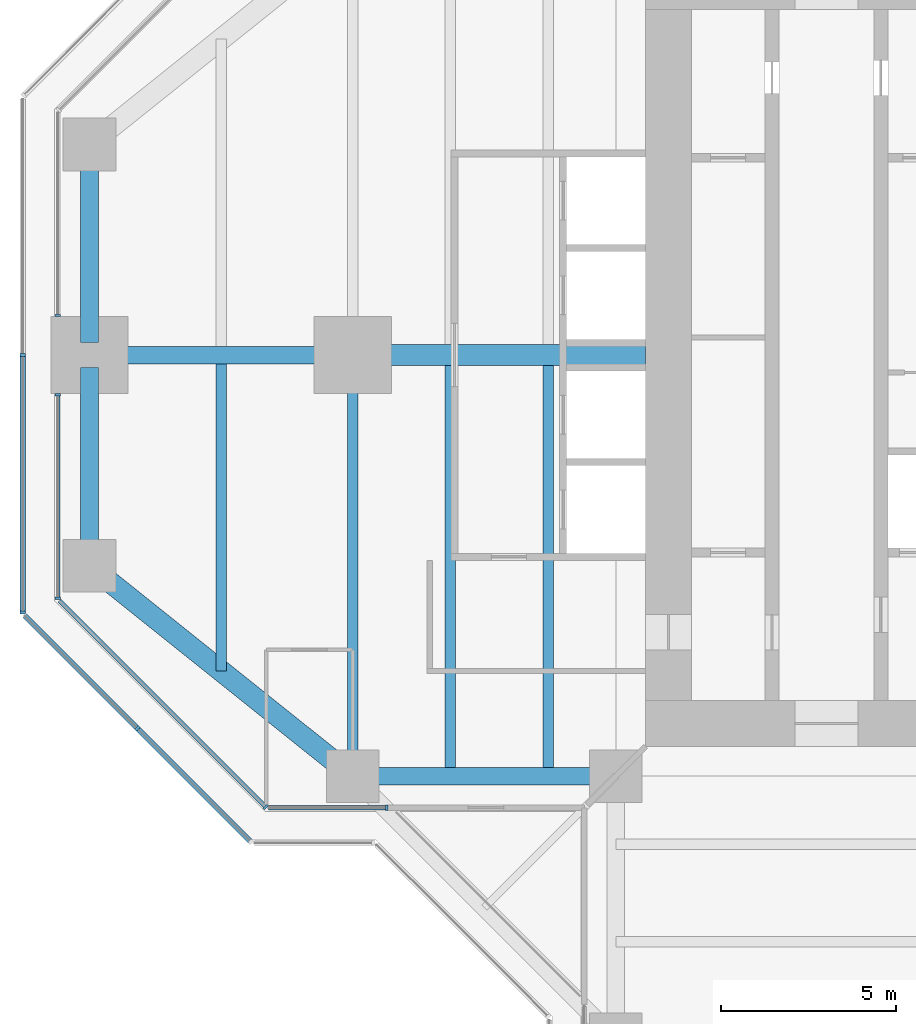
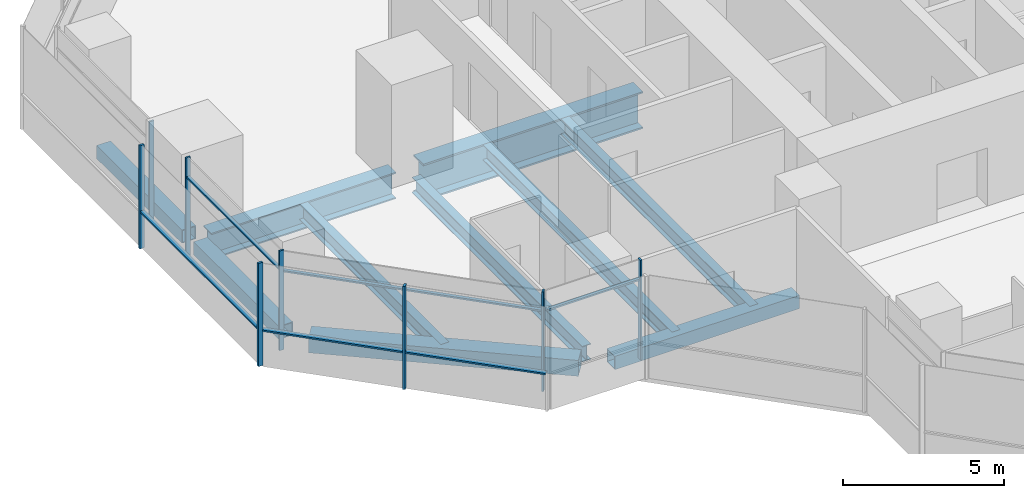
# One storey, part 3 of 17: 14 members, 10 beams, 6 elements without a shape of their own.
"""IFC4 building model written with IfcOpenShell, lengths in metres."""

from ifc_helpers import new_model, si_unit, direction, frame, origin, origin_2d, place, context, subcontext, project, spatial, rectangle, hollow_rectangle, i_section, extrude, material, material_profile, profile_set, type_object, element, aggregate, save


model = new_model("IFC4")

# Units and contexts
model_context = context("Model", 3, precision=1e-05, world=origin(), true_north=direction((0.0, 1.0)))
body_context = subcontext(model_context, "Body", "Model", "MODEL_VIEW")
ifc_project = project(units=[si_unit("LENGTHUNIT", "METRE"), si_unit("AREAUNIT", "SQUARE_METRE"), si_unit("VOLUMEUNIT", "CUBIC_METRE"), si_unit("PLANEANGLEUNIT", "RADIAN"), si_unit("MASSUNIT", "GRAM", prefix="KILO")], contexts=[model_context])

# Site, building, storey
site_placement = place(None, origin())
site = spatial("IfcSite", under=ifc_project, at=site_placement, CompositionType="ELEMENT")
building_placement = place(site_placement, origin())
building = spatial("IfcBuilding", under=site, at=building_placement, Name="Mizan Broadcast Tower", CompositionType="ELEMENT")
storey_placement = place(building_placement, frame((0.0, 0.0, 236.10009765625)))
storey = spatial("IfcBuildingStorey", under=building, at=storey_placement, Name="L55", CompositionType="ELEMENT", Elevation=236.10009765625)

# Beams
ifc_material_1 = material(Name="Steel S355", Category="steel")
ifc_material_profile_1 = material_profile(ifc_material_1, hollow_rectangle(XDim=0.5, YDim=0.5, WallThickness=0.030029296875, at=origin_2d()), Name="BOX 500x500x30")
ifc_profile_set_1 = profile_set([ifc_material_profile_1], Name="Steel S355")
beam_type_1 = type_object("IfcBeamType", Name="EDGE BEAM BOX 500x500x30", PredefinedType="SPANDREL", material=ifc_profile_set_1)
beam_1_placement = place(storey_placement, frame((-27.0, 5.639892578125, -0.380126953125), z_axis=(0.0, -1.0, 0.0), x_axis=(1.0, 0.0, 0.0)))
element("IfcBeam", 1, at=beam_1_placement, inside=storey, type_object=beam_type_1, Name="Edge beam BOX 500x500x30 L55 west arm", PredefinedType="SPANDREL", context=body_context, shape_type="SweptSolid", body=[
    extrude(hollow_rectangle(XDim=0.5, YDim=0.5, WallThickness=0.030029296875, at=origin_2d()), origin(), (0.0, 0.0, 1.0), 5.27978515625),
])
beam_2_placement = place(storey_placement, frame((-12.449951171875, -12.0, -0.380126953125), z_axis=(-1.0, 0.0, 0.0), x_axis=(0.0, -1.0, 0.0)))
element("IfcBeam", 2, at=beam_2_placement, inside=storey, type_object=beam_type_1, Name="Edge beam BOX 500x500x30 L55 west arm", PredefinedType="SPANDREL", context=body_context, shape_type="SweptSolid", body=[
    extrude(hollow_rectangle(XDim=0.5, YDim=0.5, WallThickness=0.030029296875, at=origin_2d()), origin(), (0.0, 0.0, 1.0), 6.60009765625),
])
beam_3_placement = place(storey_placement, frame((-27.0, -5.639892578125, -0.380126953125), z_axis=(0.0, 1.0, 0.0), x_axis=(-1.0, 0.0, 0.0)))
element("IfcBeam", 3, at=beam_3_placement, inside=storey, type_object=beam_type_1, Name="Edge beam BOX 500x500x30 L55 west arm", PredefinedType="SPANDREL", context=body_context, shape_type="SweptSolid", body=[
    extrude(hollow_rectangle(XDim=0.5, YDim=0.5, WallThickness=0.030029296875, at=origin_2d()), origin(), (0.0, 0.0, 1.0), 5.27978515625),
])
ifc_material_2 = material(Name="Steel S355", Category="steel")
ifc_material_profile_2 = material_profile(ifc_material_2, hollow_rectangle(XDim=0.60009765625, YDim=0.60009765625, WallThickness=0.030029296875, at=origin_2d()), Name="BOX 600x600x30")
ifc_profile_set_2 = profile_set([ifc_material_profile_2], Name="Steel S355")
beam_type_2 = type_object("IfcBeamType", Name="EDGE BEAM BOX 600x600x30", PredefinedType="SPANDREL", material=ifc_profile_set_2)
beam_4_placement = place(storey_placement, frame((-19.949951171875, -11.639892578125, -0.43017578125), z_axis=(-0.780885717636, 0.624673911726, 0.0), x_axis=(-0.624673911726, -0.780885717636, 0.0)))
element("IfcBeam", 4, at=beam_4_placement, inside=storey, type_object=beam_type_2, Name="Edge beam BOX 600x600x30 L55 west arm", PredefinedType="SPANDREL", context=body_context, shape_type="SweptSolid", body=[
    extrude(hollow_rectangle(XDim=0.60009765625, YDim=0.60009765625, WallThickness=0.030029296875, at=origin_2d()), origin(), (0.0, 0.0, 1.0), 8.4521484375),
])
ifc_material_3 = material(Name="Steel S355", Category="steel")
ifc_material_profile_3 = material_profile(ifc_material_3, i_section(OverallWidth=0.300048828125, OverallDepth=0.590087890625, WebThickness=0.012939453125, FlangeThickness=0.02490234375, FilletRadius=0.027099609375, at=origin_2d()), Name="HEA 600")
ifc_profile_set_3 = profile_set([ifc_material_profile_3], Name="Steel S355")
beam_type_3 = type_object("IfcBeamType", Name="GIRDER HEA 600", PredefinedType="BEAM", material=ifc_profile_set_3)
beam_5_placement = place(storey_placement, frame((-19.5, -11.280029296875, -0.425048828125), z_axis=(0.0, 1.0, 0.0), x_axis=(-1.0, 0.0, 0.0)))
element("IfcBeam", 5, at=beam_5_placement, inside=storey, type_object=beam_type_3, Name="Girder HEA 600 L55 west arm", PredefinedType="BEAM", context=body_context, shape_type="SweptSolid", body=[
    extrude(i_section(OverallWidth=0.300048828125, OverallDepth=0.590087890625, WebThickness=0.012939453125, FlangeThickness=0.02490234375, FilletRadius=0.027099609375, at=origin_2d()), origin(), (0.0, 0.0, 1.0), 10.56005859375),
])
ifc_material_4 = material(Name="Steel S460", Category="steel")
ifc_material_profile_4 = material_profile(ifc_material_4, i_section(OverallWidth=0.5, OverallDepth=1.0, WebThickness=0.02490234375, FlangeThickness=0.050048828125, at=origin_2d()), Name="WPG 1000x500")
ifc_profile_set_4 = profile_set([ifc_material_profile_4], Name="Steel S460")
beam_type_4 = type_object("IfcBeamType", Name="GIRDER WPG 1000x500", PredefinedType="BEAM", material=ifc_profile_set_4)
beam_6_placement = place(storey_placement, frame((-19.949951171875, 0.0, -0.630126953125), z_axis=(-1.0, 0.0, 0.0), x_axis=(0.0, -1.0, 0.0)))
element("IfcBeam", 6, at=beam_6_placement, inside=storey, type_object=beam_type_4, Name="Girder WPG 1000x500 L55 west arm", PredefinedType="BEAM", context=body_context, shape_type="SweptSolid", body=[
    extrude(i_section(OverallWidth=0.5, OverallDepth=1.0, WebThickness=0.02490234375, FlangeThickness=0.050048828125, at=origin_2d()), origin(), (0.0, 0.0, 1.0), 6.60009765625),
])
ifc_material_5 = material(Name="Steel S460", Category="steel")
ifc_material_profile_5 = material_profile(ifc_material_5, i_section(OverallWidth=0.60009765625, OverallDepth=1.39990234375, WebThickness=0.02490234375, FlangeThickness=0.06005859375, at=origin_2d()), Name="WPG 1400x600")
ifc_profile_set_5 = profile_set([ifc_material_profile_5], Name="Steel S460")
beam_type_5 = type_object("IfcBeamType", Name="GIRDER WPG 1400x600", PredefinedType="BEAM", material=ifc_profile_set_5)
beam_7_placement = place(storey_placement, frame((-11.14990234375, 0.0, -0.830078125), z_axis=(-1.0, 0.0, 0.0), x_axis=(0.0, -1.0, 0.0)))
element("IfcBeam", 7, at=beam_7_placement, inside=storey, type_object=beam_type_5, Name="Girder WPG 1400x600 L55 west arm", PredefinedType="BEAM", context=body_context, shape_type="SweptSolid", body=[
    extrude(i_section(OverallWidth=0.60009765625, OverallDepth=1.39990234375, WebThickness=0.02490234375, FlangeThickness=0.06005859375, at=origin_2d()), origin(), (0.0, 0.0, 1.0), 7.84912109375),
])

# Curtain wall, member
ifc_material_6 = material(Name="Aluminium framed glazing", Category="aluminium")
curtain_wall_type_1 = type_object("IfcCurtainWallType", Name="INNER SKIN HIGH ZONE", PredefinedType="USERDEFINED", material=ifc_material_6)
curtain_wall_1_placement = place(storey_placement, origin())
curtain_wall_1 = element("IfcCurtainWall", 8, at=curtain_wall_1_placement, inside=storey, type_object=curtain_wall_type_1, Name="Inner skin high zone L55 W end", ObjectType="INNER SKIN HIGH ZONE", PredefinedType="USERDEFINED")
ifc_material_7 = material(Name="Aluminium, pale anodised", Category="aluminium")
ifc_material_profile_6 = material_profile(ifc_material_7, rectangle(XDim=0.159912109375, YDim=0.06005859375, at=origin_2d()), Name="MULLION 160x60")
ifc_profile_set_6 = profile_set([ifc_material_profile_6], Name="Aluminium, pale anodised")
member_type_1 = type_object("IfcMemberType", Name="INNER SKIN MULLION 60x160", PredefinedType="MULLION", material=ifc_profile_set_6)
member_1_placement = place(storey_placement, frame((-27.89990234375, 1.1298828125, 0.0), z_axis=(0.0, 0.0, 1.0), x_axis=(1.0, 0.0, 0.0)))
member_1 = element("IfcMember", 9, at=member_1_placement, type_object=member_type_1, Name="Inner skin high zone L55 W end mullion 2", PredefinedType="MULLION", context=body_context, shape_type="SweptSolid", body=[
    extrude(rectangle(XDim=0.159912109375, YDim=0.06005859375, at=origin_2d()), origin(), (0.0, 0.0, 1.0), 3.77001953125),
])
aggregate(curtain_wall_1, [member_1])

# Curtain wall, members
curtain_wall_2_placement = place(storey_placement, origin())
curtain_wall_2 = element("IfcCurtainWall", 10, at=curtain_wall_2_placement, inside=storey, type_object=curtain_wall_type_1, Name="Inner skin high zone L55 W end", ObjectType="INNER SKIN HIGH ZONE", PredefinedType="USERDEFINED")
member_2_placement = place(storey_placement, frame((-27.89990234375, -1.1298828125, 0.0), z_axis=(0.0, 0.0, 1.0), x_axis=(1.0, 0.0, 0.0)))
member_2 = element("IfcMember", 11, at=member_2_placement, type_object=member_type_1, Name="Inner skin high zone L55 W end mullion 1", PredefinedType="MULLION", context=body_context, shape_type="SweptSolid", body=[
    extrude(rectangle(XDim=0.159912109375, YDim=0.06005859375, at=origin_2d()), origin(), (0.0, 0.0, 1.0), 3.77001953125),
])
member_3_placement = place(storey_placement, frame((-27.89990234375, -6.928466796875, 0.0), z_axis=(0.0, 0.0, 1.0), x_axis=(1.0, 0.0, 0.0)))
member_3 = element("IfcMember", 12, at=member_3_placement, type_object=member_type_1, Name="Inner skin high zone L55 W end mullion 2", PredefinedType="MULLION", context=body_context, shape_type="SweptSolid", body=[
    extrude(rectangle(XDim=0.159912109375, YDim=0.06005859375, at=origin_2d()), origin(), (0.0, 0.0, 1.0), 3.77001953125),
])

# Curtain wall, member
curtain_wall_3_placement = place(storey_placement, origin())
curtain_wall_3 = element("IfcCurtainWall", 13, at=curtain_wall_3_placement, inside=storey, type_object=curtain_wall_type_1, Name="Inner skin high zone L55 W chamfer", ObjectType="INNER SKIN HIGH ZONE", PredefinedType="USERDEFINED")
member_4_placement = place(storey_placement, frame((-21.979736328125, -12.87890625, 0.0), z_axis=(0.0, 0.0, 1.0), x_axis=(0.707106781187, 0.707106781187, 0.0)))
member_4 = element("IfcMember", 14, at=member_4_placement, type_object=member_type_1, Name="Inner skin high zone L55 W chamfer mullion 2", PredefinedType="MULLION", context=body_context, shape_type="SweptSolid", body=[
    extrude(rectangle(XDim=0.159912109375, YDim=0.06005859375, at=origin_2d()), origin(), (0.0, 0.0, 1.0), 3.77001953125),
])

curtain_wall_4_placement = place(storey_placement, origin())
curtain_wall_4 = element("IfcCurtainWall", 15, at=curtain_wall_4_placement, inside=storey, type_object=curtain_wall_type_1, Name="Inner skin high zone L55 W side", ObjectType="INNER SKIN HIGH ZONE", PredefinedType="USERDEFINED")
member_5_placement = place(storey_placement, frame((-18.530029296875, -12.89990234375, 0.0), z_axis=(0.0, 0.0, 1.0), x_axis=(0.0, 1.0, 0.0)))
member_5 = element("IfcMember", 16, at=member_5_placement, type_object=member_type_1, Name="Inner skin high zone L55 W side mullion 2", PredefinedType="MULLION", context=body_context, shape_type="SweptSolid", body=[
    extrude(rectangle(XDim=0.159912109375, YDim=0.06005859375, at=origin_2d()), origin(), (0.0, 0.0, 1.0), 3.77001953125),
])

# Member
ifc_material_8 = material(Name="Aluminium, pale anodised", Category="aluminium")
ifc_material_profile_7 = material_profile(ifc_material_8, rectangle(XDim=0.1201171875, YDim=0.06005859375, at=origin_2d()), Name="TRANSOM 120x60")
ifc_profile_set_7 = profile_set([ifc_material_profile_7], Name="Aluminium, pale anodised")
member_type_2 = type_object("IfcMemberType", Name="INNER SKIN TRANSOM 60x120", PredefinedType="USERDEFINED", material=ifc_profile_set_7)
member_6_placement = place(storey_placement, frame((-27.89990234375, -1.159912109375, 3.02978515625), z_axis=(0.0, -1.0, 0.0), x_axis=(1.0, 0.0, 0.0)))
member_6 = element("IfcMember", 17, at=member_6_placement, type_object=member_type_2, Name="Inner skin high zone L55 W end transom 1.1", ObjectType="TRANSOM", PredefinedType="USERDEFINED", context=body_context, shape_type="SweptSolid", body=[
    extrude(rectangle(XDim=0.1201171875, YDim=0.06005859375, at=origin_2d()), origin(), (0.0, 0.0, 1.0), 5.73876953125),
])

aggregate(curtain_wall_2, [member_2, member_3, member_6])

member_7_placement = place(storey_placement, frame((-27.857666015625, -7.0009765625, 3.02978515625), z_axis=(0.707106781187, -0.707106781187, 0.0), x_axis=(0.707106781187, 0.707106781187, 0.0)))
member_7 = element("IfcMember", 18, at=member_7_placement, type_object=member_type_2, Name="Inner skin high zone L55 W chamfer transom 1.1", ObjectType="TRANSOM", PredefinedType="USERDEFINED", context=body_context, shape_type="SweptSolid", body=[
    extrude(rectangle(XDim=0.1201171875, YDim=0.06005859375, at=origin_2d()), origin(), (0.0, 0.0, 1.0), 8.28271484375),
])

aggregate(curtain_wall_3, [member_4, member_7])

member_8_placement = place(storey_placement, frame((-21.898681640625, -12.89990234375, 3.02978515625), z_axis=(1.0, 0.0, 0.0), x_axis=(0.0, 1.0, 0.0)))
member_8 = element("IfcMember", 19, at=member_8_placement, type_object=member_type_2, Name="Inner skin high zone L55 W side transom 1.1", ObjectType="TRANSOM", PredefinedType="USERDEFINED", context=body_context, shape_type="SweptSolid", body=[
    extrude(rectangle(XDim=0.1201171875, YDim=0.06005859375, at=origin_2d()), origin(), (0.0, 0.0, 1.0), 3.338623046875),
])

aggregate(curtain_wall_4, [member_5, member_8])

# Curtain wall, members
ifc_material_9 = material(Name="Aluminium framed glazing", Category="aluminium")
curtain_wall_type_2 = type_object("IfcCurtainWallType", Name="OUTER SKIN", PredefinedType="USERDEFINED", material=ifc_material_9)
curtain_wall_5_placement = place(storey_placement, origin())
curtain_wall_5 = element("IfcCurtainWall", 20, at=curtain_wall_5_placement, inside=storey, type_object=curtain_wall_type_2, Name="Outer skin L55 W end", ObjectType="OUTER SKIN", PredefinedType="USERDEFINED")
ifc_material_10 = material(Name="Aluminium, pale anodised", Category="aluminium")
ifc_material_profile_8 = material_profile(ifc_material_10, rectangle(XDim=0.159912109375, YDim=0.080078125, at=origin_2d()), Name="MULLION 160x80")
ifc_profile_set_8 = profile_set([ifc_material_profile_8], Name="Aluminium, pale anodised")
member_type_3 = type_object("IfcMemberType", Name="OUTER SKIN MULLION 80x160", PredefinedType="MULLION", material=ifc_profile_set_8)
member_9_placement = place(storey_placement, frame((-28.89990234375, 0.0, 0.0), z_axis=(0.0, 0.0, 1.0), x_axis=(1.0, 0.0, 0.0)))
member_9 = element("IfcMember", 21, at=member_9_placement, type_object=member_type_3, Name="Outer skin L55 W end mullion 2", PredefinedType="MULLION", context=body_context, shape_type="SweptSolid", body=[
    extrude(rectangle(XDim=0.159912109375, YDim=0.080078125, at=origin_2d()), origin(), (0.0, 0.0, 1.0), 3.89990234375),
])
member_10_placement = place(storey_placement, frame((-28.89990234375, -7.332763671875, 0.0), z_axis=(0.0, 0.0, 1.0), x_axis=(1.0, 0.0, 0.0)))
member_10 = element("IfcMember", 22, at=member_10_placement, type_object=member_type_3, Name="Outer skin L55 W end mullion 3", PredefinedType="MULLION", context=body_context, shape_type="SweptSolid", body=[
    extrude(rectangle(XDim=0.159912109375, YDim=0.080078125, at=origin_2d()), origin(), (0.0, 0.0, 1.0), 3.89990234375),
])

# Curtain wall, member
curtain_wall_6_placement = place(storey_placement, origin())
curtain_wall_6 = element("IfcCurtainWall", 23, at=curtain_wall_6_placement, inside=storey, type_object=curtain_wall_type_2, Name="Outer skin L55 W chamfer", ObjectType="OUTER SKIN", PredefinedType="USERDEFINED")
member_11_placement = place(storey_placement, frame((-25.636474609375, -10.636474609375, 0.0), z_axis=(0.0, 0.0, 1.0), x_axis=(0.707106781187, 0.707106781187, 0.0)))
member_11 = element("IfcMember", 24, at=member_11_placement, type_object=member_type_3, Name="Outer skin L55 W chamfer mullion 2", PredefinedType="MULLION", context=body_context, shape_type="SweptSolid", body=[
    extrude(rectangle(XDim=0.159912109375, YDim=0.080078125, at=origin_2d()), origin(), (0.0, 0.0, 1.0), 3.89990234375),
])

# Member
ifc_material_11 = material(Name="Aluminium, pale anodised", Category="aluminium")
ifc_material_profile_9 = material_profile(ifc_material_11, rectangle(XDim=0.159912109375, YDim=0.06005859375, at=origin_2d()), Name="TRANSOM 160x60")
ifc_profile_set_9 = profile_set([ifc_material_profile_9], Name="Aluminium, pale anodised")
member_type_4 = type_object("IfcMemberType", Name="OUTER SKIN TRANSOM 60x160", PredefinedType="USERDEFINED", material=ifc_profile_set_9)
member_12_placement = place(storey_placement, frame((-28.89990234375, -0.0400390625, 1.39990234375), z_axis=(0.0, -1.0, 0.0), x_axis=(1.0, 0.0, 0.0)))
member_12 = element("IfcMember", 25, at=member_12_placement, type_object=member_type_4, Name="Outer skin L55 W end transom 2.1", ObjectType="TRANSOM", PredefinedType="USERDEFINED", context=body_context, shape_type="SweptSolid", body=[
    extrude(rectangle(XDim=0.159912109375, YDim=0.06005859375, at=origin_2d()), origin(), (0.0, 0.0, 1.0), 7.252685546875),
])

aggregate(curtain_wall_5, [member_9, member_10, member_12])

member_13_placement = place(storey_placement, frame((-28.843505859375, -7.429443359375, 1.39990234375), z_axis=(0.707106781187, -0.707106781187, 0.0), x_axis=(0.707106781187, 0.707106781187, 0.0)))
member_13 = element("IfcMember", 26, at=member_13_placement, type_object=member_type_4, Name="Outer skin L55 W chamfer transom 1.1", ObjectType="TRANSOM", PredefinedType="USERDEFINED", context=body_context, shape_type="SweptSolid", body=[
    extrude(rectangle(XDim=0.159912109375, YDim=0.06005859375, at=origin_2d()), origin(), (0.0, 0.0, 1.0), 4.495361328125),
])

member_14_placement = place(storey_placement, frame((-25.608154296875, -10.664794921875, 1.39990234375), z_axis=(0.707106781187, -0.707106781187, 0.0), x_axis=(0.707106781187, 0.707106781187, 0.0)))
member_14 = element("IfcMember", 27, at=member_14_placement, type_object=member_type_4, Name="Outer skin L55 W chamfer transom 2.1", ObjectType="TRANSOM", PredefinedType="USERDEFINED", context=body_context, shape_type="SweptSolid", body=[
    extrude(rectangle(XDim=0.159912109375, YDim=0.06005859375, at=origin_2d()), origin(), (0.0, 0.0, 1.0), 4.495361328125),
])

aggregate(curtain_wall_6, [member_11, member_13, member_14])

# Beams
ifc_material_12 = material(Name="Steel S355", Category="steel")
ifc_material_profile_10 = material_profile(ifc_material_12, i_section(OverallWidth=0.300048828125, OverallDepth=0.590087890625, WebThickness=0.012939453125, FlangeThickness=0.02490234375, FilletRadius=0.027099609375, at=origin_2d()), Name="HEA 600")
ifc_profile_set_10 = profile_set([ifc_material_profile_10], Name="Steel S355")
beam_type_6 = type_object("IfcBeamType", Name="SECONDARY BEAM HEA 600", PredefinedType="JOIST", material=ifc_profile_set_10)
for number, where, z_axis, x_axis, name in (
    (28, (-13.933349609375, -12.0, -0.425048828125), (0.0, 1.0, 0.0), (-1.0, 0.0, 0.0), "Secondary beam HEA 600 L55 west arm"),
    (29, (-16.716552734375, -12.0, -0.425048828125), (0.0, 1.0, 0.0), (-1.0, 0.0, 0.0), "Secondary beam HEA 600 L55 west arm"),
):
    element("IfcBeam", number, at=place(storey_placement, frame(where, z_axis=z_axis, x_axis=x_axis)), inside=storey, type_object=beam_type_6, Name=name, PredefinedType="JOIST", context=body_context, shape_type="SweptSolid", body=[
        extrude(i_section(OverallWidth=0.300048828125, OverallDepth=0.590087890625, WebThickness=0.012939453125, FlangeThickness=0.02490234375, FilletRadius=0.027099609375, at=origin_2d()), origin(), (0.0, 0.0, 1.0), 11.699951171875),
    ])
beam_8_placement = place(storey_placement, frame((-23.25, -9.0, -0.425048828125), z_axis=(0.0, 1.0, 0.0), x_axis=(-1.0, 0.0, 0.0)))
element("IfcBeam", 30, at=beam_8_placement, inside=storey, type_object=beam_type_6, Name="Secondary beam HEA 600 L55 west arm", PredefinedType="JOIST", context=body_context, shape_type="SweptSolid", body=[
    extrude(i_section(OverallWidth=0.300048828125, OverallDepth=0.590087890625, WebThickness=0.012939453125, FlangeThickness=0.02490234375, FilletRadius=0.027099609375, at=origin_2d()), origin(), (0.0, 0.0, 1.0), 8.75),
])

save(model, "model.ifc")
